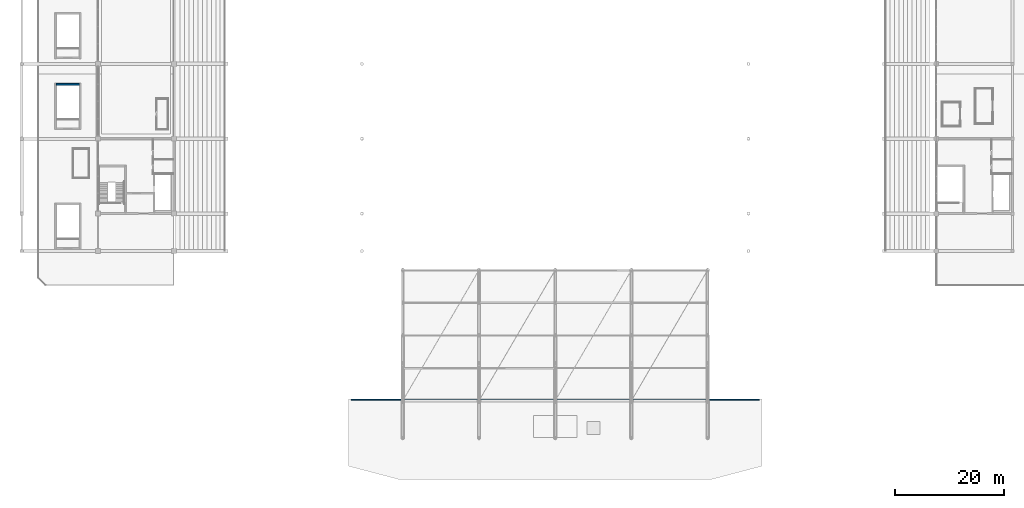
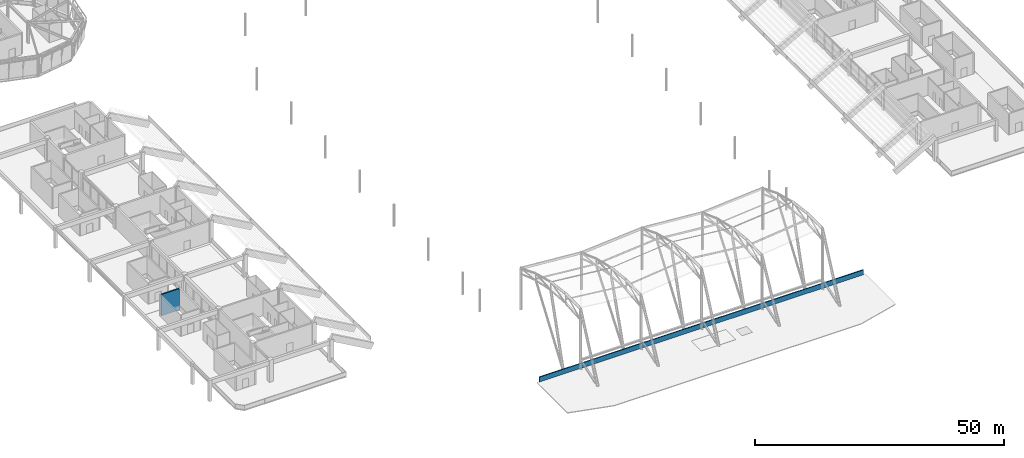
# One storey, part 70 of 90: 2 walls.
"""IFC4 building model written with IfcOpenShell, lengths in metres."""

from ifc_helpers import new_model, si_unit, direction, frame, frame_2d, origin, place, context, subcontext, project, spatial, rectangle, extrude, material, layer, layer_set, type_object, element, save


model = new_model("IFC4")

# Units and contexts
model_context = context("Model", 3, precision=1e-05, world=origin(), true_north=direction((0.0, 1.0)))
body_context = subcontext(model_context, "Body", "Model", "MODEL_VIEW")
ifc_project = project(units=[si_unit("LENGTHUNIT", "METRE"), si_unit("AREAUNIT", "SQUARE_METRE"), si_unit("VOLUMEUNIT", "CUBIC_METRE"), si_unit("PLANEANGLEUNIT", "RADIAN"), si_unit("MASSUNIT", "GRAM", prefix="KILO")], contexts=[model_context])

# Site, building, storey
site_placement = place(None, origin())
site = spatial("IfcSite", under=ifc_project, at=site_placement, CompositionType="ELEMENT")
building_placement = place(site_placement, origin())
building = spatial("IfcBuilding", under=site, at=building_placement, Name="Linyun Crest Stadium", CompositionType="ELEMENT")
storey_placement = place(building_placement, frame((0.0, 0.0, 21.0)))
storey = spatial("IfcBuildingStorey", under=building, at=storey_placement, Name="L05", CompositionType="ELEMENT", Elevation=21.0)

# Walls
ifc_material_1 = material(Name="Precast concrete C40 coping panel", Category="concrete")
ifc_layer_1 = layer(ifc_material_1, 0.22509765625)
ifc_layer_set_1 = layer_set([ifc_layer_1], Name="Precast concrete C40 coping panel")
wall_type_1 = type_object("IfcWallType", Name="PW03", PredefinedType="PARAPET", material=ifc_layer_set_1)
wall_1_placement = place(storey_placement, frame((-37.5, -73.300048828125, 0.0), z_axis=(0.0, 0.0, 1.0), x_axis=(1.0, 0.0, 0.0)))
element("IfcWall", 1, at=wall_1_placement, inside=storey, type_object=wall_type_1, Name="Parapet PW03 L05 77", PredefinedType="PARAPET", context=body_context, shape_type="SweptSolid", body=[
    extrude(rectangle(XDim=75.0, YDim=0.22509765625, at=frame_2d((37.5, 0.0))), origin(), (0.0, 0.0, 1.0), 1.199951171875),
])
ifc_material_2 = material(Name="Concrete C50", Category="concrete")
ifc_layer_2 = layer(ifc_material_2, 0.300048828125)
ifc_layer_set_2 = layer_set([ifc_layer_2], Name="Concrete C50")
wall_type_2 = type_object("IfcWallType", Name="SW01", PredefinedType="SHEAR", material=ifc_layer_set_2)
wall_2_placement = place(storey_placement, frame((-91.60009765625, -15.35009765625, 0.0), z_axis=(0.0, 0.0, 1.0), x_axis=(1.0, 0.0, 0.0)))
element("IfcWall", 2, at=wall_2_placement, inside=storey, type_object=wall_type_2, Name="Stair shaft wall SW01 STR-14 L05 N", PredefinedType="SHEAR", context=body_context, shape_type="SweptSolid", body=[
    extrude(rectangle(XDim=4.2001953125, YDim=0.300048828125, at=frame_2d((2.10009765625, 0.0))), origin(), (0.0, 0.0, 1.0), 5.219970703125),
])

save(model, "model.ifc")
